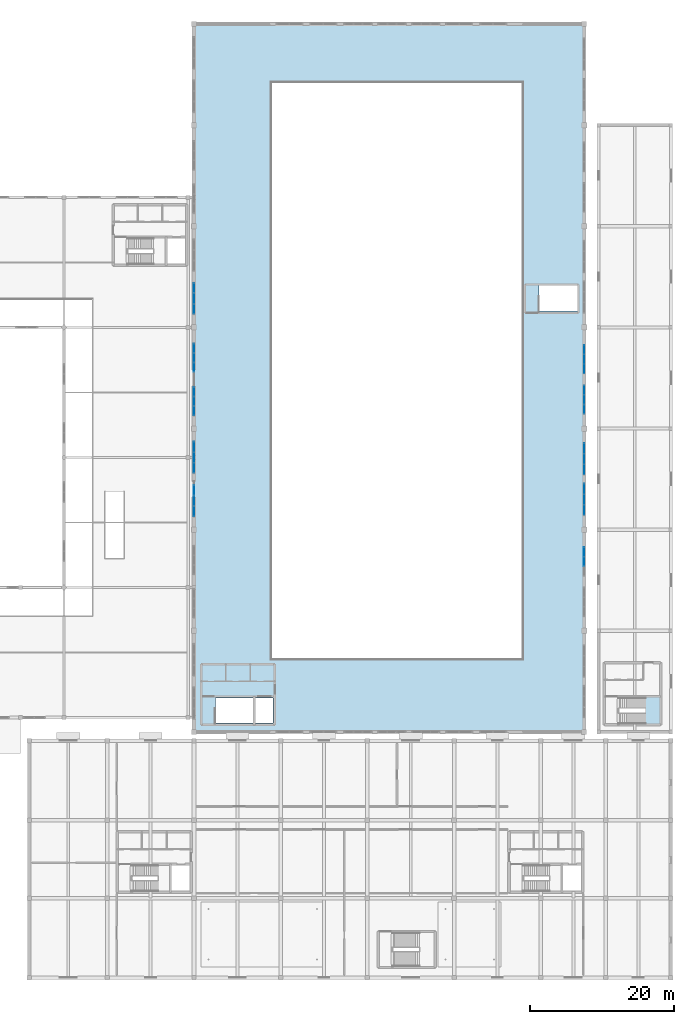
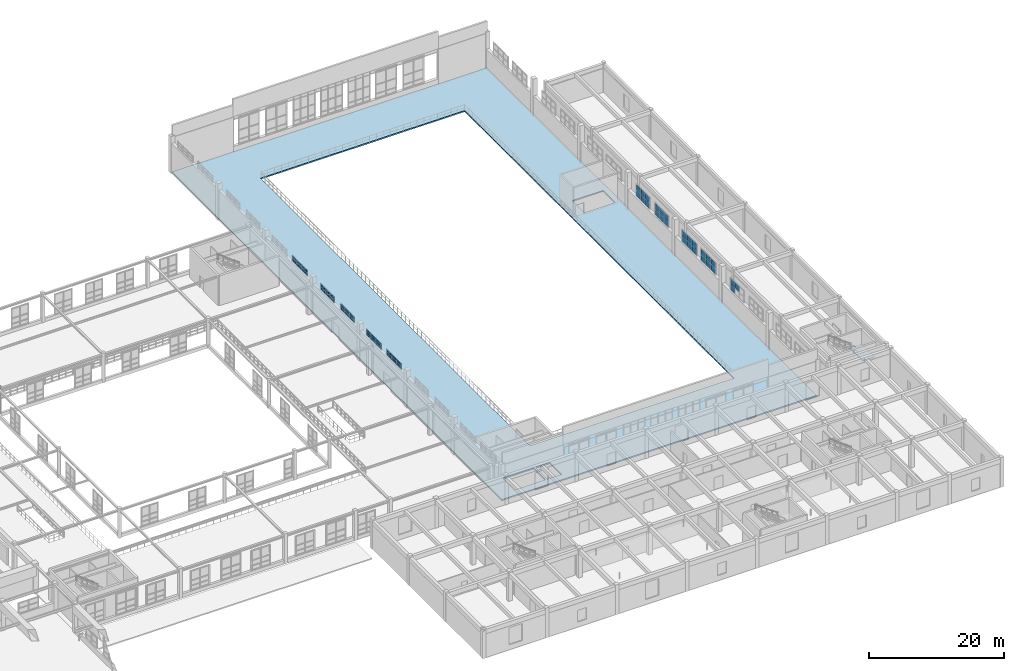
# One storey, part 164 of 197: 57 plates, 2 slabs, 11 elements without a shape of their own.
"""IFC4 building model written with IfcOpenShell, lengths in metres."""

import ifcopenshell
import ifcopenshell.guid

model = None  # the IFC model being written
_history = None  # IfcOwnerHistory: only IFC2X3 demands one
_inside = {}  # id of a spatial element -> (the spatial element, [elements in it])
_under = {}  # id of a project, library or spatial element -> (it, [spatial elements below it])
_declared = {}  # id of a project -> (the project, [libraries it declares])
_typed = {}  # id of a type object -> (the type object, [elements of that type])
_made_of = {}  # id of a material, layer set ... -> (it, [elements and type objects made of it])


def new_model(schema):
    """Start an empty IFC model of exactly this schema.

    Asked for "IFC4X3", IfcOpenShell would pick the latest addendum, in which some entities
    have other attributes; the version numbers below select the first issue.
    IFC2X3 requires an IfcOwnerHistory on every rooted entity: one is made here for all.
    """
    global model, _history
    if schema == "IFC4X3":
        model = ifcopenshell.file(schema_version=(4, 3, 0, 0))
    else:
        model = ifcopenshell.file(schema=schema)
    _inside.clear()
    _under.clear()
    _declared.clear()
    _typed.clear()
    _made_of.clear()
    _history = None
    if model.schema == "IFC2X3":
        org = make("IfcOrganization", Name="unknown")
        user = make(
            "IfcPersonAndOrganization",
            ThePerson=make("IfcPerson", FamilyName="unknown"),
            TheOrganization=org,
        )
        app = make(
            "IfcApplication",
            ApplicationDeveloper=org,
            Version="unknown",
            ApplicationFullName="unknown",
            ApplicationIdentifier="unknown",
        )
        _history = make(
            "IfcOwnerHistory",
            OwningUser=user,
            OwningApplication=app,
            ChangeAction="ADDED",
            CreationDate=0,
        )
    return model


def make(cls, **values):
    """One entity of the class cls with the attributes given. An attribute that is None is left unset."""
    return model.create_entity(
        cls, **{name: value for name, value in values.items() if value is not None}
    )


def rooted(cls, **values):
    """An entity with a GlobalId (a new one), such as an element, a storey or a relation."""
    return make(cls, GlobalId=ifcopenshell.guid.new(), OwnerHistory=_history, **values)


def si_unit(unit_type, name, prefix=None):
    """IfcSIUnit, for example si_unit("LENGTHUNIT", "METRE", prefix="MILLI")."""
    return make("IfcSIUnit", UnitType=unit_type, Prefix=prefix, Name=name)


def derived_unit(unit_type, elements):
    """IfcDerivedUnit: a product of units, each with its exponent."""
    return make(
        "IfcDerivedUnit",
        Elements=[
            make("IfcDerivedUnitElement", Unit=unit, Exponent=power)
            for unit, power in elements
        ],
        UnitType=unit_type,
    )


def assignment(units):
    """IfcUnitAssignment: the units of a project."""
    return None if units is None else make("IfcUnitAssignment", Units=units)


def point(xyz):
    """IfcCartesianPoint."""
    return None if xyz is None else make("IfcCartesianPoint", Coordinates=xyz)


def direction(xyz):
    """IfcDirection."""
    return None if xyz is None else make("IfcDirection", DirectionRatios=xyz)


def frame(location, z_axis=None, x_axis=None):
    """IfcAxis2Placement3D, a coordinate frame: its origin and axes. An axis left out is left unset."""
    return make(
        "IfcAxis2Placement3D",
        Location=point(location),
        Axis=direction(z_axis),
        RefDirection=direction(x_axis),
    )


def frame_2d(location, x_axis=None):
    """IfcAxis2Placement2D, a coordinate frame in the plane: its origin and x axis."""
    return make(
        "IfcAxis2Placement2D", Location=point(location), RefDirection=direction(x_axis)
    )


def origin():
    """The frame at (0, 0, 0) with its axes left unset."""
    return frame((0.0, 0.0, 0.0))


def origin_2d():
    """The frame at (0, 0) in the plane with its x axis left unset."""
    return frame_2d((0.0, 0.0))


def place(relative_to, where):
    """IfcLocalPlacement: puts the frame where relative to a parent placement (None: the world)."""
    return make(
        "IfcLocalPlacement", PlacementRelTo=relative_to, RelativePlacement=where
    )


def context(
    kind, dimensions, precision=None, world=None, true_north=None, identifier=None
):
    """IfcGeometricRepresentationContext, for example the 3D "Model" context."""
    return make(
        "IfcGeometricRepresentationContext",
        ContextIdentifier=identifier,
        ContextType=kind,
        CoordinateSpaceDimension=dimensions,
        Precision=precision,
        WorldCoordinateSystem=world,
        TrueNorth=true_north,
    )


def subcontext(parent, identifier, kind, view, scale=None):
    """IfcGeometricRepresentationSubContext, for example "Body" below "Model"."""
    return make(
        "IfcGeometricRepresentationSubContext",
        ContextIdentifier=identifier,
        ContextType=kind,
        ParentContext=parent,
        TargetScale=scale,
        TargetView=view,
    )


def project(units=None, contexts=None):
    """IfcProject with its units and contexts."""
    return rooted(
        "IfcProject",
        Name="project",
        RepresentationContexts=contexts,
        UnitsInContext=assignment(units),
    )


def spatial(cls, under=None, at=None, **own):
    """A site, building, storey or space (cls), placed at a placement, below another one or the project."""
    s = rooted(cls, ObjectPlacement=at, **own)
    if under is not None:
        _under.setdefault(under.id(), (under, []))[1].append(s)
    return s


def polyline(points):
    """IfcPolyline through the points."""
    return make("IfcPolyline", Points=[point(p) for p in points])


def profile(cls, at=None, kind="AREA", **sizes):
    """A parametric profile (cls). Its sizes go by their IFC names, for example OverallWidth=200.0."""
    return make(cls, ProfileType=kind, Position=at, **sizes)


def rectangle(**sizes):
    """IfcRectangleProfileDef."""
    return profile("IfcRectangleProfileDef", **sizes)


def outline(outer, holes=None, kind="AREA"):
    """IfcArbitraryClosedProfileDef: a profile drawn as a closed curve; with holes, ...WithVoids."""
    if holes is None:
        return make("IfcArbitraryClosedProfileDef", ProfileType=kind, OuterCurve=outer)
    return make(
        "IfcArbitraryProfileDefWithVoids",
        ProfileType=kind,
        OuterCurve=outer,
        InnerCurves=holes,
    )


def extrude(swept, where, along, depth):
    """IfcExtrudedAreaSolid: the profile swept, set in the frame where, extruded along a direction by depth."""
    return make(
        "IfcExtrudedAreaSolid",
        SweptArea=swept,
        Position=where,
        ExtrudedDirection=direction(along),
        Depth=depth,
    )


def shape(context_of_items, identifier, shape_type, items):
    """IfcShapeRepresentation: the items that make up one representation, for example the "Body"."""
    return make(
        "IfcShapeRepresentation",
        ContextOfItems=context_of_items,
        RepresentationIdentifier=identifier,
        RepresentationType=shape_type,
        Items=items,
    )


def material(Name=None, Category=None):
    """IfcMaterial."""
    return make("IfcMaterial", Name=Name, Category=Category)


def layer(
    of_material, thickness, ventilated=None, Name=None, Category=None, Priority=None
):
    """IfcMaterialLayer: one layer of a wall or slab, of a material (None: an air gap)."""
    return make(
        "IfcMaterialLayer",
        Material=of_material,
        LayerThickness=thickness,
        IsVentilated=ventilated,
        Name=Name,
        Category=Category,
        Priority=Priority,
    )


def layer_set(layers, Name=None):
    """IfcMaterialLayerSet."""
    return make("IfcMaterialLayerSet", MaterialLayers=layers, LayerSetName=Name)


def made_of(thing, what):
    """Note that an element or type object is made of a material, layer set ...; save() writes the relation."""
    if what is not None:
        _made_of.setdefault(what.id(), (what, []))[1].append(thing)
    return thing


def type_object(cls, material=None, **own):
    """A type object (cls), such as IfcWallType, which elements share."""
    return made_of(rooted(cls, **own), material)


def element(
    cls,
    number,
    at=None,
    inside=None,
    cuts=None,
    type_object=None,
    material=None,
    context=None,
    identifier="Body",
    shape_type=None,
    held_by="IfcProductDefinitionShape",
    body=None,
    shapes=None,
    **own,
):
    """One element of the class cls, such as IfcWall. Its Tag is "e" and its number.

    at: its placement. inside: the storey or other place that contains it. cuts: it is an
    opening in that element (IfcRelVoidsElement). A single representation is given by context,
    identifier, shape_type and body (its items); several are given by shapes. held_by: the class
    of the entity that holds the representations. save() writes the other relations.
    """
    e = rooted(cls, Tag="e%d" % number, ObjectPlacement=at, **own)
    if body is not None:
        shapes = [shape(context, identifier, shape_type, body)]
    if shapes is not None:
        e.Representation = make(held_by, Representations=shapes)
    if inside is not None:
        _inside.setdefault(inside.id(), (inside, []))[1].append(e)
    if cuts is not None:
        rooted(
            "IfcRelVoidsElement", RelatingBuildingElement=cuts, RelatedOpeningElement=e
        )
    if type_object is not None:
        _typed.setdefault(type_object.id(), (type_object, []))[1].append(e)
    return made_of(e, material)


def aggregate(whole, parts):
    """IfcRelAggregates: a whole, such as a stair, and the parts it consists of."""
    return rooted("IfcRelAggregates", RelatingObject=whole, RelatedObjects=parts)


def save(model, path):
    """Write the relations noted so far, then the file.

    IfcRelAggregates (storeys below a building ...), IfcRelContainedInSpatialStructure (elements
    in a storey), IfcRelDefinesByType, IfcRelAssociatesMaterial and IfcRelDeclares: one each for
    every whole, place, type object, material and project.
    """
    for whole, parts in _under.values():
        aggregate(whole, parts)
    for where, things in _inside.values():
        rooted(
            "IfcRelContainedInSpatialStructure",
            RelatedElements=things,
            RelatingStructure=where,
        )
    for kind, things in _typed.values():
        rooted("IfcRelDefinesByType", RelatedObjects=things, RelatingType=kind)
    for what, things in _made_of.values():
        rooted("IfcRelAssociatesMaterial", RelatedObjects=things, RelatingMaterial=what)
    for by, libraries in _declared.values():
        rooted("IfcRelDeclares", RelatingContext=by, RelatedDefinitions=libraries)
    model.write(path)


model = new_model("IFC4")

# Units and contexts
model_context = context("Model", 3, precision=1e-05, world=origin(), true_north=direction((0.0, 1.0)))
body_context = subcontext(model_context, "Body", "Model", "MODEL_VIEW")
ifc_project = project(units=[si_unit("LENGTHUNIT", "METRE"), si_unit("AREAUNIT", "SQUARE_METRE"), si_unit("VOLUMEUNIT", "CUBIC_METRE"), si_unit("PLANEANGLEUNIT", "RADIAN"), si_unit("MASSUNIT", "GRAM", prefix="KILO"), derived_unit("THERMALTRANSMITTANCEUNIT", [(si_unit("POWERUNIT", "WATT"), 1), (si_unit("LENGTHUNIT", "METRE"), -2), (si_unit("THERMODYNAMICTEMPERATUREUNIT", "KELVIN"), -1)])], contexts=[model_context])

# Site, building, storey
site_placement = place(None, origin())
site = spatial("IfcSite", under=ifc_project, at=site_placement, CompositionType="ELEMENT")
building_placement = place(site_placement, origin())
building = spatial("IfcBuilding", under=site, at=building_placement, Name="Almenara Railside Exhibition Hall", CompositionType="ELEMENT")
storey_placement = place(building_placement, frame((0.0, 0.0, 5.39990234375)))
storey = spatial("IfcBuildingStorey", under=building, at=storey_placement, Name="L01", CompositionType="ELEMENT", Elevation=5.39990234375)

# Curtain wall, plates
ifc_material_1 = material(Name="Bronze-anodised aluminium and low-E double glazing", Category="aluminium")
ifc_layer_1 = layer(ifc_material_1, 0.179931640625, Name="Bronze-anodised aluminium and low-E double glazing")
ifc_layer_set_1 = layer_set([ifc_layer_1], Name="Bronze-anodised aluminium and low-E double glazing")
curtain_wall_type_1 = type_object("IfcCurtainWallType", Name="East Hall Clerestory Curtain Wall 4400x2300", PredefinedType="NOTDEFINED", material=ifc_layer_set_1)
curtain_wall_1_placement = place(storey_placement, origin())
curtain_wall_1 = element("IfcCurtainWall", 1, at=curtain_wall_1_placement, inside=storey, type_object=curtain_wall_type_1, Name="Curtain wall CW-CL3-060", PredefinedType="NOTDEFINED")
ifc_material_2 = material(Name="Solar-control acoustic laminated glazing", Category="glass")
ifc_layer_2 = layer(ifc_material_2, 0.031982421875, Name="Solar-control acoustic laminated glazing")
ifc_layer_set_2 = layer_set([ifc_layer_2], Name="Solar-control acoustic laminated glazing")
plate_type_1 = type_object("IfcPlateType", Name="Acoustic Low-E Double Glazing Panel 32mm", PredefinedType="CURTAIN_PANEL", material=ifc_layer_set_2)
plate_1_placement = place(storey_placement, frame((138.0, 70.549560546875, 5.57421875), z_axis=(0.0, 0.0, 1.0), x_axis=(0.0, 1.0, 0.0)))
plate_1 = element("IfcPlate", 2, at=plate_1_placement, type_object=plate_type_1, Name="CW-CL3-060 panel 1.1", PredefinedType="CURTAIN_PANEL", context=body_context, shape_type="SweptSolid", body=[
    extrude(rectangle(XDim=1.38525390625, YDim=0.031982421875, at=origin_2d()), origin(), (0.0, 0.0, 1.0), 0.422119140625),
])
plate_2_placement = place(storey_placement, frame((138.0, 70.549560546875, 6.10400390625), z_axis=(0.0, 0.0, 1.0), x_axis=(0.0, 1.0, 0.0)))
plate_2 = element("IfcPlate", 3, at=plate_2_placement, type_object=plate_type_1, Name="CW-CL3-060 panel 1.2", PredefinedType="CURTAIN_PANEL", context=body_context, shape_type="SweptSolid", body=[
    extrude(rectangle(XDim=1.38525390625, YDim=0.031982421875, at=origin_2d()), origin(), (0.0, 0.0, 1.0), 0.422119140625),
])
plate_3_placement = place(storey_placement, frame((138.0, 72.0, 5.57421875), z_axis=(0.0, 0.0, 1.0), x_axis=(0.0, 1.0, 0.0)))
plate_3 = element("IfcPlate", 4, at=plate_3_placement, type_object=plate_type_1, Name="CW-CL3-060 panel 2.1", PredefinedType="CURTAIN_PANEL", context=body_context, shape_type="SweptSolid", body=[
    extrude(rectangle(XDim=1.417724609375, YDim=0.031982421875, at=origin_2d()), origin(), (0.0, 0.0, 1.0), 0.422119140625),
])
plate_4_placement = place(storey_placement, frame((138.0, 72.0, 6.10400390625), z_axis=(0.0, 0.0, 1.0), x_axis=(0.0, 1.0, 0.0)))
plate_4 = element("IfcPlate", 5, at=plate_4_placement, type_object=plate_type_1, Name="CW-CL3-060 panel 2.2", PredefinedType="CURTAIN_PANEL", context=body_context, shape_type="SweptSolid", body=[
    extrude(rectangle(XDim=1.417724609375, YDim=0.031982421875, at=origin_2d()), origin(), (0.0, 0.0, 1.0), 0.422119140625),
])
plate_5_placement = place(storey_placement, frame((138.0, 73.450439453125, 5.57421875), z_axis=(0.0, 0.0, 1.0), x_axis=(0.0, 1.0, 0.0)))
plate_5 = element("IfcPlate", 6, at=plate_5_placement, type_object=plate_type_1, Name="CW-CL3-060 panel 3.1", PredefinedType="CURTAIN_PANEL", context=body_context, shape_type="SweptSolid", body=[
    extrude(rectangle(XDim=1.38525390625, YDim=0.031982421875, at=origin_2d()), origin(), (0.0, 0.0, 1.0), 0.422119140625),
])
plate_6_placement = place(storey_placement, frame((138.0, 73.450439453125, 6.10400390625), z_axis=(0.0, 0.0, 1.0), x_axis=(0.0, 1.0, 0.0)))
plate_6 = element("IfcPlate", 7, at=plate_6_placement, type_object=plate_type_1, Name="CW-CL3-060 panel 3.2", PredefinedType="CURTAIN_PANEL", context=body_context, shape_type="SweptSolid", body=[
    extrude(rectangle(XDim=1.38525390625, YDim=0.031982421875, at=origin_2d()), origin(), (0.0, 0.0, 1.0), 0.422119140625),
])
aggregate(curtain_wall_1, [plate_1, plate_2, plate_3, plate_4, plate_5, plate_6])

ifc_layer_3 = layer(ifc_material_1, 0.179931640625, Name="Bronze-anodised aluminium and low-E double glazing")
ifc_layer_set_3 = layer_set([ifc_layer_3], Name="Bronze-anodised aluminium and low-E double glazing")
curtain_wall_type_2 = type_object("IfcCurtainWallType", Name="East Hall Clerestory Curtain Wall 4000x2100", PredefinedType="NOTDEFINED", material=ifc_layer_set_3)
curtain_wall_2_placement = place(storey_placement, origin())
curtain_wall_2 = element("IfcCurtainWall", 8, at=curtain_wall_2_placement, inside=storey, type_object=curtain_wall_type_2, Name="Curtain wall CW-CL4-065", PredefinedType="NOTDEFINED")
plate_7_placement = place(storey_placement, frame((192.0, 78.681640625, 3.744140625), z_axis=(0.0, 0.0, 1.0), x_axis=(0.0, 1.0, 0.0)))
plate_7 = element("IfcPlate", 9, at=plate_7_placement, type_object=plate_type_1, Name="CW-CL4-065 panel 1.1", PredefinedType="CURTAIN_PANEL", context=body_context, shape_type="SweptSolid", body=[
    extrude(rectangle(XDim=1.25927734375, YDim=0.031982421875, at=origin_2d()), origin(), (0.0, 0.0, 1.0), 0.967041015625),
])
plate_8_placement = place(storey_placement, frame((192.0, 78.681640625, 4.7890625), z_axis=(0.0, 0.0, 1.0), x_axis=(0.0, 1.0, 0.0)))
plate_8 = element("IfcPlate", 10, at=plate_8_placement, type_object=plate_type_1, Name="CW-CL4-065 panel 1.2", PredefinedType="CURTAIN_PANEL", context=body_context, shape_type="SweptSolid", body=[
    extrude(rectangle(XDim=1.25927734375, YDim=0.031982421875, at=origin_2d()), origin(), (0.0, 0.0, 1.0), 0.967041015625),
])
plate_9_placement = place(storey_placement, frame((192.0, 80.0, 3.744140625), z_axis=(0.0, 0.0, 1.0), x_axis=(0.0, 1.0, 0.0)))
plate_9 = element("IfcPlate", 11, at=plate_9_placement, type_object=plate_type_1, Name="CW-CL4-065 panel 2.1", PredefinedType="CURTAIN_PANEL", context=body_context, shape_type="SweptSolid", body=[
    extrude(rectangle(XDim=1.289306640625, YDim=0.031982421875, at=origin_2d()), origin(), (0.0, 0.0, 1.0), 0.967041015625),
])
plate_10_placement = place(storey_placement, frame((192.0, 80.0, 4.7890625), z_axis=(0.0, 0.0, 1.0), x_axis=(0.0, 1.0, 0.0)))
plate_10 = element("IfcPlate", 12, at=plate_10_placement, type_object=plate_type_1, Name="CW-CL4-065 panel 2.2", PredefinedType="CURTAIN_PANEL", context=body_context, shape_type="SweptSolid", body=[
    extrude(rectangle(XDim=1.289306640625, YDim=0.031982421875, at=origin_2d()), origin(), (0.0, 0.0, 1.0), 0.967041015625),
])
plate_11_placement = place(storey_placement, frame((192.0, 81.318359375, 3.744140625), z_axis=(0.0, 0.0, 1.0), x_axis=(0.0, 1.0, 0.0)))
plate_11 = element("IfcPlate", 13, at=plate_11_placement, type_object=plate_type_1, Name="CW-CL4-065 panel 3.1", PredefinedType="CURTAIN_PANEL", context=body_context, shape_type="SweptSolid", body=[
    extrude(rectangle(XDim=1.25927734375, YDim=0.031982421875, at=origin_2d()), origin(), (0.0, 0.0, 1.0), 0.967041015625),
])
plate_12_placement = place(storey_placement, frame((192.0, 81.318359375, 4.7890625), z_axis=(0.0, 0.0, 1.0), x_axis=(0.0, 1.0, 0.0)))
plate_12 = element("IfcPlate", 14, at=plate_12_placement, type_object=plate_type_1, Name="CW-CL4-065 panel 3.2", PredefinedType="CURTAIN_PANEL", context=body_context, shape_type="SweptSolid", body=[
    extrude(rectangle(XDim=1.25927734375, YDim=0.031982421875, at=origin_2d()), origin(), (0.0, 0.0, 1.0), 0.967041015625),
])
aggregate(curtain_wall_2, [plate_7, plate_8, plate_9, plate_10, plate_11, plate_12])

curtain_wall_3_placement = place(storey_placement, origin())
curtain_wall_3 = element("IfcCurtainWall", 15, at=curtain_wall_3_placement, inside=storey, type_object=curtain_wall_type_1, Name="Curtain wall CW-CL3-062", PredefinedType="NOTDEFINED")
ifc_material_3 = material(Name="Clear low-E laminated double glazing", Category="glass")
ifc_layer_4 = layer(ifc_material_3, 0.02392578125, Name="Clear low-E laminated double glazing")
ifc_layer_set_4 = layer_set([ifc_layer_4], Name="Clear low-E laminated double glazing")
plate_type_2 = type_object("IfcPlateType", Name="Courtyard Clear Double Glazing Panel 24mm", PredefinedType="CURTAIN_PANEL", material=ifc_layer_set_4)
plate_13_placement = place(storey_placement, frame((192.0, 70.34716796875, 3.72412109375), z_axis=(0.0, 0.0, 1.0), x_axis=(0.0, 1.0, 0.0)))
plate_13 = element("IfcPlate", 16, at=plate_13_placement, type_object=plate_type_2, Name="CW-CL3-062 panel 1.1", PredefinedType="CURTAIN_PANEL", context=body_context, shape_type="SweptSolid", body=[
    extrude(rectangle(XDim=1.400146484375, YDim=0.02392578125, at=origin_2d()), origin(), (0.0, 0.0, 1.0), 0.9970703125),
])
plate_14_placement = place(storey_placement, frame((192.0, 70.34716796875, 4.779052734375), z_axis=(0.0, 0.0, 1.0), x_axis=(0.0, 1.0, 0.0)))
plate_14 = element("IfcPlate", 17, at=plate_14_placement, type_object=plate_type_2, Name="CW-CL3-062 panel 1.2", PredefinedType="CURTAIN_PANEL", context=body_context, shape_type="SweptSolid", body=[
    extrude(rectangle(XDim=1.400146484375, YDim=0.02392578125, at=origin_2d()), origin(), (0.0, 0.0, 1.0), 0.9970703125),
])
plate_15_placement = place(storey_placement, frame((192.0, 71.800048828125, 3.72412109375), z_axis=(0.0, 0.0, 1.0), x_axis=(0.0, 1.0, 0.0)))
plate_15 = element("IfcPlate", 18, at=plate_15_placement, type_object=plate_type_2, Name="CW-CL3-062 panel 2.1", PredefinedType="CURTAIN_PANEL", context=body_context, shape_type="SweptSolid", body=[
    extrude(rectangle(XDim=1.427734375, YDim=0.02392578125, at=origin_2d()), origin(), (0.0, 0.0, 1.0), 0.9970703125),
])
plate_16_placement = place(storey_placement, frame((192.0, 71.800048828125, 4.779052734375), z_axis=(0.0, 0.0, 1.0), x_axis=(0.0, 1.0, 0.0)))
plate_16 = element("IfcPlate", 19, at=plate_16_placement, type_object=plate_type_2, Name="CW-CL3-062 panel 2.2", PredefinedType="CURTAIN_PANEL", context=body_context, shape_type="SweptSolid", body=[
    extrude(rectangle(XDim=1.427734375, YDim=0.02392578125, at=origin_2d()), origin(), (0.0, 0.0, 1.0), 0.9970703125),
])
plate_17_placement = place(storey_placement, frame((192.0, 73.2529296875, 3.72412109375), z_axis=(0.0, 0.0, 1.0), x_axis=(0.0, 1.0, 0.0)))
plate_17 = element("IfcPlate", 20, at=plate_17_placement, type_object=plate_type_2, Name="CW-CL3-062 panel 3.1", PredefinedType="CURTAIN_PANEL", context=body_context, shape_type="SweptSolid", body=[
    extrude(rectangle(XDim=1.400146484375, YDim=0.02392578125, at=origin_2d()), origin(), (0.0, 0.0, 1.0), 0.9970703125),
])
plate_18_placement = place(storey_placement, frame((192.0, 73.2529296875, 4.779052734375), z_axis=(0.0, 0.0, 1.0), x_axis=(0.0, 1.0, 0.0)))
plate_18 = element("IfcPlate", 21, at=plate_18_placement, type_object=plate_type_2, Name="CW-CL3-062 panel 3.2", PredefinedType="CURTAIN_PANEL", context=body_context, shape_type="SweptSolid", body=[
    extrude(rectangle(XDim=1.400146484375, YDim=0.02392578125, at=origin_2d()), origin(), (0.0, 0.0, 1.0), 0.9970703125),
])
aggregate(curtain_wall_3, [plate_13, plate_14, plate_15, plate_16, plate_17, plate_18])

curtain_wall_4_placement = place(storey_placement, origin())
curtain_wall_4 = element("IfcCurtainWall", 22, at=curtain_wall_4_placement, inside=storey, type_object=curtain_wall_type_1, Name="Curtain wall CW-CL3-067", PredefinedType="NOTDEFINED")
plate_19_placement = place(storey_placement, frame((138.0, 92.55078125, 5.593994140625), z_axis=(0.0, 0.0, 1.0), x_axis=(0.0, 1.0, 0.0)))
plate_19 = element("IfcPlate", 23, at=plate_19_placement, type_object=plate_type_2, Name="CW-CL3-067 panel 1.1", PredefinedType="CURTAIN_PANEL", context=body_context, shape_type="SweptSolid", body=[
    extrude(rectangle(XDim=1.377685546875, YDim=0.02392578125, at=origin_2d()), origin(), (0.0, 0.0, 1.0), 0.39208984375),
])
plate_20_placement = place(storey_placement, frame((138.0, 92.55078125, 6.114013671875), z_axis=(0.0, 0.0, 1.0), x_axis=(0.0, 1.0, 0.0)))
plate_20 = element("IfcPlate", 24, at=plate_20_placement, type_object=plate_type_2, Name="CW-CL3-067 panel 1.2", PredefinedType="CURTAIN_PANEL", context=body_context, shape_type="SweptSolid", body=[
    extrude(rectangle(XDim=1.377685546875, YDim=0.02392578125, at=origin_2d()), origin(), (0.0, 0.0, 1.0), 0.39208984375),
])
plate_21_placement = place(storey_placement, frame((138.0, 94.0, 5.593994140625), z_axis=(0.0, 0.0, 1.0), x_axis=(0.0, 1.0, 0.0)))
plate_21 = element("IfcPlate", 25, at=plate_21_placement, type_object=plate_type_2, Name="CW-CL3-067 panel 2.1", PredefinedType="CURTAIN_PANEL", context=body_context, shape_type="SweptSolid", body=[
    extrude(rectangle(XDim=1.41259765625, YDim=0.02392578125, at=origin_2d()), origin(), (0.0, 0.0, 1.0), 0.39208984375),
])
plate_22_placement = place(storey_placement, frame((138.0, 94.0, 6.114013671875), z_axis=(0.0, 0.0, 1.0), x_axis=(0.0, 1.0, 0.0)))
plate_22 = element("IfcPlate", 26, at=plate_22_placement, type_object=plate_type_2, Name="CW-CL3-067 panel 2.2", PredefinedType="CURTAIN_PANEL", context=body_context, shape_type="SweptSolid", body=[
    extrude(rectangle(XDim=1.41259765625, YDim=0.02392578125, at=origin_2d()), origin(), (0.0, 0.0, 1.0), 0.39208984375),
])
plate_23_placement = place(storey_placement, frame((138.0, 95.44921875, 5.593994140625), z_axis=(0.0, 0.0, 1.0), x_axis=(0.0, 1.0, 0.0)))
plate_23 = element("IfcPlate", 27, at=plate_23_placement, type_object=plate_type_2, Name="CW-CL3-067 panel 3.1", PredefinedType="CURTAIN_PANEL", context=body_context, shape_type="SweptSolid", body=[
    extrude(rectangle(XDim=1.377685546875, YDim=0.02392578125, at=origin_2d()), origin(), (0.0, 0.0, 1.0), 0.39208984375),
])
plate_24_placement = place(storey_placement, frame((138.0, 95.44921875, 6.114013671875), z_axis=(0.0, 0.0, 1.0), x_axis=(0.0, 1.0, 0.0)))
plate_24 = element("IfcPlate", 28, at=plate_24_placement, type_object=plate_type_2, Name="CW-CL3-067 panel 3.2", PredefinedType="CURTAIN_PANEL", context=body_context, shape_type="SweptSolid", body=[
    extrude(rectangle(XDim=1.377685546875, YDim=0.02392578125, at=origin_2d()), origin(), (0.0, 0.0, 1.0), 0.39208984375),
])
aggregate(curtain_wall_4, [plate_19, plate_20, plate_21, plate_22, plate_23, plate_24])

# Slab
ifc_material_4 = material(Name="Concrete C35/45", Category="concrete")
ifc_layer_5 = layer(ifc_material_4, 0.235107421875, Name="Concrete C35/45")
ifc_layer_set_5 = layer_set([ifc_layer_5], Name="Concrete C35/45")
slab_type_1 = type_object("IfcSlabType", Name="Gallery Mezzanine Slab 235mm C35/45", PredefinedType="FLOOR", material=ifc_layer_set_5)
slab_1_placement = place(storey_placement, frame((0.0, 0.0, -0.23486328125)))
element("IfcSlab", 29, at=slab_1_placement, inside=storey, type_object=slab_type_1, Name="East Hall L01 gallery ring 013", PredefinedType="FLOOR", context=body_context, shape_type="SweptSolid", body=[
    extrude(outline(polyline([(138.0, 34.0), (192.0, 34.0), (192.0, 132.0), (138.0, 132.0), (138.0, 34.0)]), holes=[polyline([(140.95068359375, 35.25), (146.199951171875, 35.25), (146.199951171875, 38.739990234375), (140.95068359375, 38.739990234375), (140.95068359375, 35.25)]), polyline([(146.5, 35.25), (148.949951171875, 35.25), (148.949951171875, 38.739990234375), (146.5, 38.739990234375), (146.5, 35.25)]), polyline([(148.60009765625, 44.0), (183.60009765625, 44.0), (183.60009765625, 124.0), (148.60009765625, 124.0), (148.60009765625, 44.0)]), polyline([(185.750732421875, 92.25), (191.050048828125, 92.25), (191.050048828125, 95.800048828125), (185.750732421875, 95.800048828125), (185.750732421875, 92.25)])]), origin(), (0.0, 0.0, 1.0), 0.23486328125),
])

# Curtain wall, plates
curtain_wall_5_placement = place(storey_placement, origin())
curtain_wall_5 = element("IfcCurtainWall", 30, at=curtain_wall_5_placement, inside=storey, type_object=curtain_wall_type_2, Name="Curtain wall CW-CL4-058", PredefinedType="NOTDEFINED")
ifc_material_5 = material(Name="Bronze-anodised insulated aluminium spandrel", Category="aluminium")
ifc_layer_6 = layer(ifc_material_5, 0.0400390625, Name="Bronze-anodised insulated aluminium spandrel")
ifc_layer_set_6 = layer_set([ifc_layer_6], Name="Bronze-anodised insulated aluminium spandrel")
plate_type_3 = type_object("IfcPlateType", Name="Insulated Bronze Spandrel Panel 40mm", PredefinedType="CURTAIN_PANEL", material=ifc_layer_set_6)
plate_25_placement = place(storey_placement, frame((192.0, 57.60009765625, 4.779052734375), z_axis=(0.0, 0.0, 1.0), x_axis=(0.0, 1.0, 0.0)))
plate_25 = element("IfcPlate", 31, at=plate_25_placement, type_object=plate_type_3, Name="CW-CL4-058 panel 2.2", PredefinedType="CURTAIN_PANEL", context=body_context, shape_type="SweptSolid", body=[
    extrude(rectangle(XDim=1.29443359375, YDim=0.0400390625, at=origin_2d()), origin(), (0.0, 0.0, 1.0), 0.9970703125),
])
plate_26_placement = place(storey_placement, frame((192.0, 58.919677734375, 3.72412109375), z_axis=(0.0, 0.0, 1.0), x_axis=(0.0, 1.0, 0.0)))
plate_26 = element("IfcPlate", 32, at=plate_26_placement, type_object=plate_type_3, Name="CW-CL4-058 panel 3.1", PredefinedType="CURTAIN_PANEL", context=body_context, shape_type="SweptSolid", body=[
    extrude(rectangle(XDim=1.266845703125, YDim=0.0400390625, at=origin_2d()), origin(), (0.0, 0.0, 1.0), 0.9970703125),
])
plate_27_placement = place(storey_placement, frame((192.0, 58.919677734375, 4.779052734375), z_axis=(0.0, 0.0, 1.0), x_axis=(0.0, 1.0, 0.0)))
plate_27 = element("IfcPlate", 33, at=plate_27_placement, type_object=plate_type_3, Name="CW-CL4-058 panel 3.2", PredefinedType="CURTAIN_PANEL", context=body_context, shape_type="SweptSolid", body=[
    extrude(rectangle(XDim=1.266845703125, YDim=0.0400390625, at=origin_2d()), origin(), (0.0, 0.0, 1.0), 0.9970703125),
])
aggregate(curtain_wall_5, [plate_25, plate_26, plate_27])

curtain_wall_6_placement = place(storey_placement, origin())
curtain_wall_6 = element("IfcCurtainWall", 34, at=curtain_wall_6_placement, inside=storey, type_object=curtain_wall_type_2, Name="Curtain wall CW-CL4-063", PredefinedType="NOTDEFINED")
plate_28_placement = place(storey_placement, frame((138.0, 78.484130859375, 5.593994140625), z_axis=(0.0, 0.0, 1.0), x_axis=(0.0, 1.0, 0.0)))
plate_28 = element("IfcPlate", 35, at=plate_28_placement, type_object=plate_type_3, Name="CW-CL4-063 panel 1.1", PredefinedType="CURTAIN_PANEL", context=body_context, shape_type="SweptSolid", body=[
    extrude(rectangle(XDim=1.244384765625, YDim=0.0400390625, at=origin_2d()), origin(), (0.0, 0.0, 1.0), 0.39208984375),
])
plate_29_placement = place(storey_placement, frame((138.0, 78.484130859375, 6.114013671875), z_axis=(0.0, 0.0, 1.0), x_axis=(0.0, 1.0, 0.0)))
plate_29 = element("IfcPlate", 36, at=plate_29_placement, type_object=plate_type_3, Name="CW-CL4-063 panel 1.2", PredefinedType="CURTAIN_PANEL", context=body_context, shape_type="SweptSolid", body=[
    extrude(rectangle(XDim=1.244384765625, YDim=0.0400390625, at=origin_2d()), origin(), (0.0, 0.0, 1.0), 0.39208984375),
])
plate_30_placement = place(storey_placement, frame((138.0, 79.800048828125, 5.593994140625), z_axis=(0.0, 0.0, 1.0), x_axis=(0.0, 1.0, 0.0)))
plate_30 = element("IfcPlate", 37, at=plate_30_placement, type_object=plate_type_3, Name="CW-CL4-063 panel 2.1", PredefinedType="CURTAIN_PANEL", context=body_context, shape_type="SweptSolid", body=[
    extrude(rectangle(XDim=1.279296875, YDim=0.0400390625, at=origin_2d()), origin(), (0.0, 0.0, 1.0), 0.39208984375),
])
plate_31_placement = place(storey_placement, frame((138.0, 79.800048828125, 6.114013671875), z_axis=(0.0, 0.0, 1.0), x_axis=(0.0, 1.0, 0.0)))
plate_31 = element("IfcPlate", 38, at=plate_31_placement, type_object=plate_type_3, Name="CW-CL4-063 panel 2.2", PredefinedType="CURTAIN_PANEL", context=body_context, shape_type="SweptSolid", body=[
    extrude(rectangle(XDim=1.279296875, YDim=0.0400390625, at=origin_2d()), origin(), (0.0, 0.0, 1.0), 0.39208984375),
])
plate_32_placement = place(storey_placement, frame((138.0, 81.11572265625, 5.593994140625), z_axis=(0.0, 0.0, 1.0), x_axis=(0.0, 1.0, 0.0)))
plate_32 = element("IfcPlate", 39, at=plate_32_placement, type_object=plate_type_3, Name="CW-CL4-063 panel 3.1", PredefinedType="CURTAIN_PANEL", context=body_context, shape_type="SweptSolid", body=[
    extrude(rectangle(XDim=1.244384765625, YDim=0.0400390625, at=origin_2d()), origin(), (0.0, 0.0, 1.0), 0.39208984375),
])
plate_33_placement = place(storey_placement, frame((138.0, 81.11572265625, 6.114013671875), z_axis=(0.0, 0.0, 1.0), x_axis=(0.0, 1.0, 0.0)))
plate_33 = element("IfcPlate", 40, at=plate_33_placement, type_object=plate_type_3, Name="CW-CL4-063 panel 3.2", PredefinedType="CURTAIN_PANEL", context=body_context, shape_type="SweptSolid", body=[
    extrude(rectangle(XDim=1.244384765625, YDim=0.0400390625, at=origin_2d()), origin(), (0.0, 0.0, 1.0), 0.39208984375),
])
aggregate(curtain_wall_6, [plate_28, plate_29, plate_30, plate_31, plate_32, plate_33])

curtain_wall_7_placement = place(storey_placement, origin())
curtain_wall_7 = element("IfcCurtainWall", 41, at=curtain_wall_7_placement, inside=storey, type_object=curtain_wall_type_1, Name="Curtain wall CW-CL3-059", PredefinedType="NOTDEFINED")
ifc_layer_7 = layer(ifc_material_5, 0.034912109375, Name="Bronze-anodised insulated aluminium spandrel")
ifc_layer_set_7 = layer_set([ifc_layer_7], Name="Bronze-anodised insulated aluminium spandrel")
plate_type_4 = type_object("IfcPlateType", Name="Insulated Stucco-Tone Spandrel Panel 35mm", PredefinedType="CURTAIN_PANEL", material=ifc_layer_set_7)
plate_34_placement = place(storey_placement, frame((138.0, 64.55078125, 5.593994140625), z_axis=(0.0, 0.0, 1.0), x_axis=(0.0, 1.0, 0.0)))
plate_34 = element("IfcPlate", 42, at=plate_34_placement, type_object=plate_type_4, Name="CW-CL3-059 panel 1.1", PredefinedType="CURTAIN_PANEL", context=body_context, shape_type="SweptSolid", body=[
    extrude(rectangle(XDim=1.377685546875, YDim=0.034912109375, at=origin_2d()), origin(), (0.0, 0.0, 1.0), 0.39208984375),
])
plate_35_placement = place(storey_placement, frame((138.0, 64.55078125, 6.114013671875), z_axis=(0.0, 0.0, 1.0), x_axis=(0.0, 1.0, 0.0)))
plate_35 = element("IfcPlate", 43, at=plate_35_placement, type_object=plate_type_4, Name="CW-CL3-059 panel 1.2", PredefinedType="CURTAIN_PANEL", context=body_context, shape_type="SweptSolid", body=[
    extrude(rectangle(XDim=1.377685546875, YDim=0.034912109375, at=origin_2d()), origin(), (0.0, 0.0, 1.0), 0.39208984375),
])
plate_36_placement = place(storey_placement, frame((138.0, 66.0, 5.593994140625), z_axis=(0.0, 0.0, 1.0), x_axis=(0.0, 1.0, 0.0)))
plate_36 = element("IfcPlate", 44, at=plate_36_placement, type_object=plate_type_4, Name="CW-CL3-059 panel 2.1", PredefinedType="CURTAIN_PANEL", context=body_context, shape_type="SweptSolid", body=[
    extrude(rectangle(XDim=1.41259765625, YDim=0.034912109375, at=origin_2d()), origin(), (0.0, 0.0, 1.0), 0.39208984375),
])
plate_37_placement = place(storey_placement, frame((138.0, 66.0, 6.114013671875), z_axis=(0.0, 0.0, 1.0), x_axis=(0.0, 1.0, 0.0)))
plate_37 = element("IfcPlate", 45, at=plate_37_placement, type_object=plate_type_4, Name="CW-CL3-059 panel 2.2", PredefinedType="CURTAIN_PANEL", context=body_context, shape_type="SweptSolid", body=[
    extrude(rectangle(XDim=1.41259765625, YDim=0.034912109375, at=origin_2d()), origin(), (0.0, 0.0, 1.0), 0.39208984375),
])
plate_38_placement = place(storey_placement, frame((138.0, 67.44921875, 5.593994140625), z_axis=(0.0, 0.0, 1.0), x_axis=(0.0, 1.0, 0.0)))
plate_38 = element("IfcPlate", 46, at=plate_38_placement, type_object=plate_type_4, Name="CW-CL3-059 panel 3.1", PredefinedType="CURTAIN_PANEL", context=body_context, shape_type="SweptSolid", body=[
    extrude(rectangle(XDim=1.377685546875, YDim=0.034912109375, at=origin_2d()), origin(), (0.0, 0.0, 1.0), 0.39208984375),
])
plate_39_placement = place(storey_placement, frame((138.0, 67.44921875, 6.114013671875), z_axis=(0.0, 0.0, 1.0), x_axis=(0.0, 1.0, 0.0)))
plate_39 = element("IfcPlate", 47, at=plate_39_placement, type_object=plate_type_4, Name="CW-CL3-059 panel 3.2", PredefinedType="CURTAIN_PANEL", context=body_context, shape_type="SweptSolid", body=[
    extrude(rectangle(XDim=1.377685546875, YDim=0.034912109375, at=origin_2d()), origin(), (0.0, 0.0, 1.0), 0.39208984375),
])
aggregate(curtain_wall_7, [plate_34, plate_35, plate_36, plate_37, plate_38, plate_39])

curtain_wall_8_placement = place(storey_placement, origin())
curtain_wall_8 = element("IfcCurtainWall", 48, at=curtain_wall_8_placement, inside=storey, type_object=curtain_wall_type_2, Name="Curtain wall CW-CL4-064", PredefinedType="NOTDEFINED")
plate_40_placement = place(storey_placement, frame((138.0, 84.48291015625, 5.57421875), z_axis=(0.0, 0.0, 1.0), x_axis=(0.0, 1.0, 0.0)))
plate_40 = element("IfcPlate", 49, at=plate_40_placement, type_object=plate_type_4, Name="CW-CL4-064 panel 1.1", PredefinedType="CURTAIN_PANEL", context=body_context, shape_type="SweptSolid", body=[
    extrude(rectangle(XDim=1.251953125, YDim=0.034912109375, at=origin_2d()), origin(), (0.0, 0.0, 1.0), 0.422119140625),
])
plate_41_placement = place(storey_placement, frame((138.0, 84.48291015625, 6.10400390625), z_axis=(0.0, 0.0, 1.0), x_axis=(0.0, 1.0, 0.0)))
plate_41 = element("IfcPlate", 50, at=plate_41_placement, type_object=plate_type_4, Name="CW-CL4-064 panel 1.2", PredefinedType="CURTAIN_PANEL", context=body_context, shape_type="SweptSolid", body=[
    extrude(rectangle(XDim=1.251953125, YDim=0.034912109375, at=origin_2d()), origin(), (0.0, 0.0, 1.0), 0.422119140625),
])
plate_42_placement = place(storey_placement, frame((138.0, 85.800048828125, 5.57421875), z_axis=(0.0, 0.0, 1.0), x_axis=(0.0, 1.0, 0.0)))
plate_42 = element("IfcPlate", 51, at=plate_42_placement, type_object=plate_type_4, Name="CW-CL4-064 panel 2.1", PredefinedType="CURTAIN_PANEL", context=body_context, shape_type="SweptSolid", body=[
    extrude(rectangle(XDim=1.284423828125, YDim=0.034912109375, at=origin_2d()), origin(), (0.0, 0.0, 1.0), 0.422119140625),
])
plate_43_placement = place(storey_placement, frame((138.0, 85.800048828125, 6.10400390625), z_axis=(0.0, 0.0, 1.0), x_axis=(0.0, 1.0, 0.0)))
plate_43 = element("IfcPlate", 52, at=plate_43_placement, type_object=plate_type_4, Name="CW-CL4-064 panel 2.2", PredefinedType="CURTAIN_PANEL", context=body_context, shape_type="SweptSolid", body=[
    extrude(rectangle(XDim=1.284423828125, YDim=0.034912109375, at=origin_2d()), origin(), (0.0, 0.0, 1.0), 0.422119140625),
])
plate_44_placement = place(storey_placement, frame((138.0, 87.1171875, 5.57421875), z_axis=(0.0, 0.0, 1.0), x_axis=(0.0, 1.0, 0.0)))
plate_44 = element("IfcPlate", 53, at=plate_44_placement, type_object=plate_type_4, Name="CW-CL4-064 panel 3.1", PredefinedType="CURTAIN_PANEL", context=body_context, shape_type="SweptSolid", body=[
    extrude(rectangle(XDim=1.251953125, YDim=0.034912109375, at=origin_2d()), origin(), (0.0, 0.0, 1.0), 0.422119140625),
])
plate_45_placement = place(storey_placement, frame((138.0, 87.1171875, 6.10400390625), z_axis=(0.0, 0.0, 1.0), x_axis=(0.0, 1.0, 0.0)))
plate_45 = element("IfcPlate", 54, at=plate_45_placement, type_object=plate_type_4, Name="CW-CL4-064 panel 3.2", PredefinedType="CURTAIN_PANEL", context=body_context, shape_type="SweptSolid", body=[
    extrude(rectangle(XDim=1.251953125, YDim=0.034912109375, at=origin_2d()), origin(), (0.0, 0.0, 1.0), 0.422119140625),
])
aggregate(curtain_wall_8, [plate_40, plate_41, plate_42, plate_43, plate_44, plate_45])

curtain_wall_9_placement = place(storey_placement, origin())
curtain_wall_9 = element("IfcCurtainWall", 55, at=curtain_wall_9_placement, inside=storey, type_object=curtain_wall_type_1, Name="Curtain wall CW-CL3-061", PredefinedType="NOTDEFINED")
ifc_material_6 = material(Name="Solar-control low-E laminated double glazing", Category="glass")
ifc_layer_8 = layer(ifc_material_6, 0.028076171875, Name="Solar-control low-E laminated double glazing")
ifc_layer_set_8 = layer_set([ifc_layer_8], Name="Solar-control low-E laminated double glazing")
plate_type_5 = type_object("IfcPlateType", Name="Low-E Solar Control Double Glazing Panel 28mm", PredefinedType="CURTAIN_PANEL", material=ifc_layer_set_8)
plate_46_placement = place(storey_placement, frame((192.0, 64.748291015625, 3.744140625), z_axis=(0.0, 0.0, 1.0), x_axis=(0.0, 1.0, 0.0)))
plate_46 = element("IfcPlate", 56, at=plate_46_placement, type_object=plate_type_5, Name="CW-CL3-061 panel 1.1", PredefinedType="CURTAIN_PANEL", context=body_context, shape_type="SweptSolid", body=[
    extrude(rectangle(XDim=1.392578125, YDim=0.028076171875, at=origin_2d()), origin(), (0.0, 0.0, 1.0), 0.967041015625),
])
plate_47_placement = place(storey_placement, frame((192.0, 64.748291015625, 4.7890625), z_axis=(0.0, 0.0, 1.0), x_axis=(0.0, 1.0, 0.0)))
plate_47 = element("IfcPlate", 57, at=plate_47_placement, type_object=plate_type_5, Name="CW-CL3-061 panel 1.2", PredefinedType="CURTAIN_PANEL", context=body_context, shape_type="SweptSolid", body=[
    extrude(rectangle(XDim=1.392578125, YDim=0.028076171875, at=origin_2d()), origin(), (0.0, 0.0, 1.0), 0.967041015625),
])
plate_48_placement = place(storey_placement, frame((192.0, 66.199951171875, 3.744140625), z_axis=(0.0, 0.0, 1.0), x_axis=(0.0, 1.0, 0.0)))
plate_48 = element("IfcPlate", 58, at=plate_48_placement, type_object=plate_type_5, Name="CW-CL3-061 panel 2.1", PredefinedType="CURTAIN_PANEL", context=body_context, shape_type="SweptSolid", body=[
    extrude(rectangle(XDim=1.422607421875, YDim=0.028076171875, at=origin_2d()), origin(), (0.0, 0.0, 1.0), 0.967041015625),
])
plate_49_placement = place(storey_placement, frame((192.0, 66.199951171875, 4.7890625), z_axis=(0.0, 0.0, 1.0), x_axis=(0.0, 1.0, 0.0)))
plate_49 = element("IfcPlate", 59, at=plate_49_placement, type_object=plate_type_5, Name="CW-CL3-061 panel 2.2", PredefinedType="CURTAIN_PANEL", context=body_context, shape_type="SweptSolid", body=[
    extrude(rectangle(XDim=1.422607421875, YDim=0.028076171875, at=origin_2d()), origin(), (0.0, 0.0, 1.0), 0.967041015625),
])
plate_50_placement = place(storey_placement, frame((192.0, 67.651611328125, 3.744140625), z_axis=(0.0, 0.0, 1.0), x_axis=(0.0, 1.0, 0.0)))
plate_50 = element("IfcPlate", 60, at=plate_50_placement, type_object=plate_type_5, Name="CW-CL3-061 panel 3.1", PredefinedType="CURTAIN_PANEL", context=body_context, shape_type="SweptSolid", body=[
    extrude(rectangle(XDim=1.392578125, YDim=0.028076171875, at=origin_2d()), origin(), (0.0, 0.0, 1.0), 0.967041015625),
])
plate_51_placement = place(storey_placement, frame((192.0, 67.651611328125, 4.7890625), z_axis=(0.0, 0.0, 1.0), x_axis=(0.0, 1.0, 0.0)))
plate_51 = element("IfcPlate", 61, at=plate_51_placement, type_object=plate_type_5, Name="CW-CL3-061 panel 3.2", PredefinedType="CURTAIN_PANEL", context=body_context, shape_type="SweptSolid", body=[
    extrude(rectangle(XDim=1.392578125, YDim=0.028076171875, at=origin_2d()), origin(), (0.0, 0.0, 1.0), 0.967041015625),
])
aggregate(curtain_wall_9, [plate_46, plate_47, plate_48, plate_49, plate_50, plate_51])

curtain_wall_10_placement = place(storey_placement, origin())
curtain_wall_10 = element("IfcCurtainWall", 62, at=curtain_wall_10_placement, inside=storey, type_object=curtain_wall_type_2, Name="Curtain wall CW-CL4-066", PredefinedType="NOTDEFINED")
plate_52_placement = place(storey_placement, frame((192.0, 84.280517578125, 3.72412109375), z_axis=(0.0, 0.0, 1.0), x_axis=(0.0, 1.0, 0.0)))
plate_52 = element("IfcPlate", 63, at=plate_52_placement, type_object=plate_type_5, Name="CW-CL4-066 panel 1.1", PredefinedType="CURTAIN_PANEL", context=body_context, shape_type="SweptSolid", body=[
    extrude(rectangle(XDim=1.266845703125, YDim=0.028076171875, at=origin_2d()), origin(), (0.0, 0.0, 1.0), 0.9970703125),
])
plate_53_placement = place(storey_placement, frame((192.0, 84.280517578125, 4.779052734375), z_axis=(0.0, 0.0, 1.0), x_axis=(0.0, 1.0, 0.0)))
plate_53 = element("IfcPlate", 64, at=plate_53_placement, type_object=plate_type_5, Name="CW-CL4-066 panel 1.2", PredefinedType="CURTAIN_PANEL", context=body_context, shape_type="SweptSolid", body=[
    extrude(rectangle(XDim=1.266845703125, YDim=0.028076171875, at=origin_2d()), origin(), (0.0, 0.0, 1.0), 0.9970703125),
])
plate_54_placement = place(storey_placement, frame((192.0, 85.60009765625, 3.72412109375), z_axis=(0.0, 0.0, 1.0), x_axis=(0.0, 1.0, 0.0)))
plate_54 = element("IfcPlate", 65, at=plate_54_placement, type_object=plate_type_5, Name="CW-CL4-066 panel 2.1", PredefinedType="CURTAIN_PANEL", context=body_context, shape_type="SweptSolid", body=[
    extrude(rectangle(XDim=1.29443359375, YDim=0.028076171875, at=origin_2d()), origin(), (0.0, 0.0, 1.0), 0.9970703125),
])
plate_55_placement = place(storey_placement, frame((192.0, 85.60009765625, 4.779052734375), z_axis=(0.0, 0.0, 1.0), x_axis=(0.0, 1.0, 0.0)))
plate_55 = element("IfcPlate", 66, at=plate_55_placement, type_object=plate_type_5, Name="CW-CL4-066 panel 2.2", PredefinedType="CURTAIN_PANEL", context=body_context, shape_type="SweptSolid", body=[
    extrude(rectangle(XDim=1.29443359375, YDim=0.028076171875, at=origin_2d()), origin(), (0.0, 0.0, 1.0), 0.9970703125),
])
plate_56_placement = place(storey_placement, frame((192.0, 86.919677734375, 3.72412109375), z_axis=(0.0, 0.0, 1.0), x_axis=(0.0, 1.0, 0.0)))
plate_56 = element("IfcPlate", 67, at=plate_56_placement, type_object=plate_type_5, Name="CW-CL4-066 panel 3.1", PredefinedType="CURTAIN_PANEL", context=body_context, shape_type="SweptSolid", body=[
    extrude(rectangle(XDim=1.266845703125, YDim=0.028076171875, at=origin_2d()), origin(), (0.0, 0.0, 1.0), 0.9970703125),
])
plate_57_placement = place(storey_placement, frame((192.0, 86.919677734375, 4.779052734375), z_axis=(0.0, 0.0, 1.0), x_axis=(0.0, 1.0, 0.0)))
plate_57 = element("IfcPlate", 68, at=plate_57_placement, type_object=plate_type_5, Name="CW-CL4-066 panel 3.2", PredefinedType="CURTAIN_PANEL", context=body_context, shape_type="SweptSolid", body=[
    extrude(rectangle(XDim=1.266845703125, YDim=0.028076171875, at=origin_2d()), origin(), (0.0, 0.0, 1.0), 0.9970703125),
])
aggregate(curtain_wall_10, [plate_52, plate_53, plate_54, plate_55, plate_56, plate_57])

# Stair, slab
stair_type = type_object("IfcStairType", Name="East Core Dog-Leg Stair 1500mm", PredefinedType="TWO_STRAIGHT_RUN_STAIR", material=ifc_material_4)
stair_placement = place(storey_placement, origin())
stair = element("IfcStair", 69, at=stair_placement, inside=storey, type_object=stair_type, Name="Escape stair ST-C9-L01", PredefinedType="TWO_STRAIGHT_RUN_STAIR")
ifc_layer_9 = layer(ifc_material_4, 0.199951171875, Name="Concrete C35/45")
ifc_layer_set_9 = layer_set([ifc_layer_9], Name="Concrete C35/45")
slab_type_2 = type_object("IfcSlabType", Name="Stair Half-Landing Slab 200mm C35/45", PredefinedType="LANDING", material=ifc_layer_set_9)
slab_2_placement = place(storey_placement, frame((0.0, 0.0, 2.5)))
slab_2 = element("IfcSlab", 70, at=slab_2_placement, type_object=slab_type_2, Name="ST-C9-L01 landing 1", PredefinedType="LANDING", context=body_context, shape_type="SweptSolid", body=[
    extrude(outline(polyline([(200.489990234375, 35.050048828125), (202.5400390625, 35.050048828125), (202.5400390625, 38.8798828125), (200.489990234375, 38.8798828125), (200.489990234375, 35.050048828125)])), origin(), (0.0, 0.0, 1.0), 0.2001953125),
])
aggregate(stair, [slab_2])

save(model, "model.ifc")
